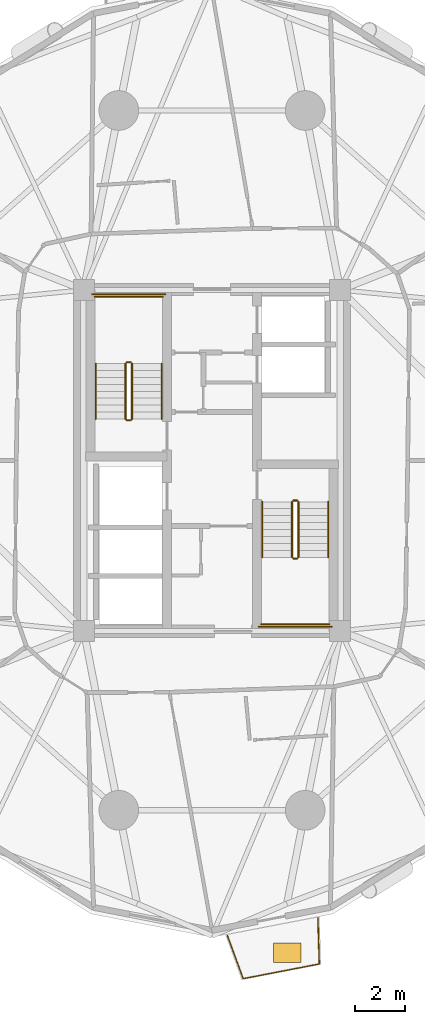
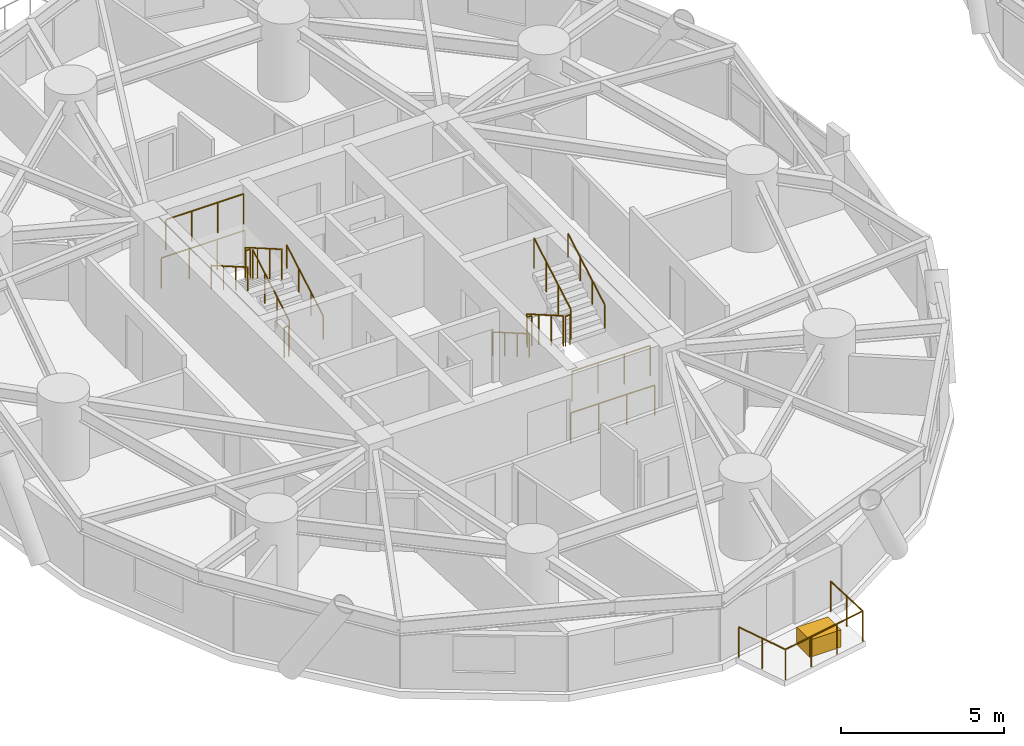
# One storey, part 17 of 19: 17 railings, 1 covering.
"""IFC4 building model written with IfcOpenShell, lengths in metres."""

from ifc_helpers import new_model, si_unit, direction, frame, origin, origin_2d, place, context, subcontext, project, spatial, rectangle, circle, extrude, source, transform, mapped, material, layer, layer_set, type_object, element, save


model = new_model("IFC4")

# Units and contexts
model_context = context("Model", 3, precision=1e-05, world=origin(), true_north=direction((0.0, 1.0)))
body_context = subcontext(model_context, "Body", "Model", "MODEL_VIEW")
ifc_project = project(units=[si_unit("LENGTHUNIT", "METRE"), si_unit("AREAUNIT", "SQUARE_METRE"), si_unit("VOLUMEUNIT", "CUBIC_METRE"), si_unit("PLANEANGLEUNIT", "RADIAN"), si_unit("MASSUNIT", "GRAM", prefix="KILO")], contexts=[model_context])

# Site, building, storey
site_placement = place(None, origin())
site = spatial("IfcSite", under=ifc_project, at=site_placement, CompositionType="ELEMENT")
building_placement = place(site_placement, origin())
building = spatial("IfcBuilding", under=site, at=building_placement, Name="Cununo Teusaquillo Station Towers", CompositionType="ELEMENT")
storey_placement = place(building_placement, frame((0.0, 0.0, 33.639892578125)))
storey = spatial("IfcBuildingStorey", under=building, at=storey_placement, Name="L09", CompositionType="ELEMENT", Elevation=33.639892578125)

# Railings
ifc_material_1 = material(Name="Anodised dark bronze aluminium EN AW-6063-T6", Category="aluminium")
railing_type_1 = type_object("IfcRailingType", Name="RL-EXT-GUARD", PredefinedType="GUARDRAIL", material=ifc_material_1)
railing_1_placement = place(storey_placement, frame((20.773193359375, 6.034423828125, 0.0)))
element("IfcRailing", 1, at=railing_1_placement, inside=storey, type_object=railing_type_1, Name="L09 Tower A Balcony Guardrail C15", PredefinedType="GUARDRAIL", context=body_context, shape_type="SweptSolid", body=[
    extrude(circle(Radius=0.02392578125, at=origin_2d()), frame((0.0, 0.0, 1.1259765625), z_axis=(0.030666047799, -0.999529686159, 0.0), x_axis=(0.999529686159, 0.030666047799, 0.0)), (0.0, 0.0, 1.0), 1.863037109375),
    extrude(circle(Radius=0.02392578125, at=origin_2d()), frame((0.05712890625, -1.862060546875, 1.1259765625), z_axis=(-0.981838510886, -0.189718577217, 0.0), x_axis=(0.189718577217, -0.981838510886, 0.0)), (0.0, 0.0, 1.0), 3.12841796875),
    extrude(circle(Radius=0.02392578125, at=origin_2d()), frame((-3.014404296875, -2.45556640625, 1.1259765625), z_axis=(-0.343888798081, 0.93901038043, 0.0), x_axis=(-0.93901038043, -0.343888798081, 0.0)), (0.0, 0.0, 1.0), 1.86279296875),
    extrude(circle(Radius=0.02099609375, at=origin_2d()), origin(), (0.0, 0.0, 1.0), 1.101806640625),
    extrude(circle(Radius=0.02099609375, at=origin_2d()), frame((0.028564453125, -0.93115234375, 0.0)), (0.0, 0.0, 1.0), 1.101806640625),
    extrude(circle(Radius=0.02099609375, at=origin_2d()), frame((0.05712890625, -1.862060546875, 0.0)), (0.0, 0.0, 1.0), 1.101806640625),
    extrude(circle(Radius=0.02099609375, at=origin_2d()), frame((-0.966796875, -2.059814453125, 0.0)), (0.0, 0.0, 1.0), 1.101806640625),
    extrude(circle(Radius=0.02099609375, at=origin_2d()), frame((-1.990478515625, -2.2578125, 0.0)), (0.0, 0.0, 1.0), 1.101806640625),
    extrude(circle(Radius=0.02099609375, at=origin_2d()), frame((-3.014404296875, -2.45556640625, 0.0)), (0.0, 0.0, 1.0), 1.101806640625),
    extrude(circle(Radius=0.02099609375, at=origin_2d()), frame((-3.334716796875, -1.5810546875, 0.0)), (0.0, 0.0, 1.0), 1.101806640625),
    extrude(circle(Radius=0.02099609375, at=origin_2d()), frame((-3.655029296875, -0.706298828125, 0.0)), (0.0, 0.0, 1.0), 1.101806640625),
])
ifc_material_2 = material(Name="Steel EN 10025-2 S355J2", Category="steel")
railing_type_2 = type_object("IfcRailingType", Name="RL-INT-GUARD", PredefinedType="GUARDRAIL", material=ifc_material_2)
railing_2_placement = place(storey_placement, frame((13.27001953125, 26.169921875, 0.161865234375)))
element("IfcRailing", 2, at=railing_2_placement, inside=storey, type_object=railing_type_2, Name="L09 ST-T1-1 stair guard 1", PredefinedType="GUARDRAIL", context=body_context, shape_type="SweptSolid", body=[
    extrude(circle(Radius=0.02392578125, at=origin_2d()), frame((0.0, 0.0, 1.1259765625), z_axis=(0.0, 0.866033117094, 0.499986639918), x_axis=(-1.0, 0.0, 0.0)), (0.0, 0.0, 1.0), 2.58642578125),
    extrude(circle(Radius=0.02099609375, at=origin_2d()), origin(), (0.0, 0.0, 1.0), 1.101806640625),
    extrude(circle(Radius=0.02099609375, at=origin_2d()), frame((0.0, 0.74658203125, 0.43115234375)), (0.0, 0.0, 1.0), 1.101806640625),
    extrude(circle(Radius=0.02099609375, at=origin_2d()), frame((0.0, 1.493408203125, 0.862060546875)), (0.0, 0.0, 1.0), 1.101806640625),
    extrude(circle(Radius=0.02099609375, at=origin_2d()), frame((0.0, 2.239990234375, 1.293212890625)), (0.0, 0.0, 1.0), 1.101806640625),
])
railing_3_placement = place(storey_placement, frame((13.219970703125, 28.4599609375, 1.455078125)))
element("IfcRailing", 3, at=railing_3_placement, inside=storey, type_object=railing_type_2, Name="L09 ST-T1-1 stair guard 2", PredefinedType="GUARDRAIL", context=body_context, shape_type="SweptSolid", body=[
    extrude(circle(Radius=0.02392578125, at=origin_2d()), frame((0.0, 0.0, 1.1259765625), z_axis=(-1.0, 0.0, 0.0), x_axis=(0.0, -1.0, 0.0)), (0.0, 0.0, 1.0), 0.159912109375),
    extrude(circle(Radius=0.02099609375, at=origin_2d()), origin(), (0.0, 0.0, 1.0), 1.101806640625),
    extrude(circle(Radius=0.02099609375, at=origin_2d()), frame((-0.159912109375, 0.0, 0.0)), (0.0, 0.0, 1.0), 1.101806640625),
])
railing_4_placement = place(storey_placement, frame((14.52001953125, 31.110107421875, 1.455078125)))
element("IfcRailing", 4, at=railing_4_placement, inside=storey, type_object=railing_type_2, Name="L09 ST-T1-1 stair guard 3", PredefinedType="GUARDRAIL", context=body_context, shape_type="SweptSolid", body=[
    extrude(circle(Radius=0.02392578125, at=origin_2d()), frame((0.0, 0.0, 1.1259765625), z_axis=(-1.0, 0.0, 0.0), x_axis=(0.0, -1.0, 0.0)), (0.0, 0.0, 1.0), 2.760009765625),
    extrude(circle(Radius=0.02099609375, at=origin_2d()), origin(), (0.0, 0.0, 1.0), 1.101806640625),
    extrude(circle(Radius=0.02099609375, at=origin_2d()), frame((-0.919921875, 0.0, 0.0)), (0.0, 0.0, 1.0), 1.101806640625),
    extrude(circle(Radius=0.02099609375, at=origin_2d()), frame((-1.840087890625, 0.0, 0.0)), (0.0, 0.0, 1.0), 1.101806640625),
    extrude(circle(Radius=0.02099609375, at=origin_2d()), frame((-2.760009765625, 0.0, 0.0)), (0.0, 0.0, 1.0), 1.101806640625),
])
railing_5_placement = place(storey_placement, frame((13.010009765625, 28.409912109375, 1.61669921875)))
element("IfcRailing", 5, at=railing_5_placement, inside=storey, type_object=railing_type_2, Name="L09 ST-T1-1 stair guard 4", PredefinedType="GUARDRAIL", context=body_context, shape_type="SweptSolid", body=[
    extrude(circle(Radius=0.02392578125, at=origin_2d()), frame((0.0, 0.0, 1.1259765625), z_axis=(0.0, -0.865992244559, 0.500057429065), x_axis=(1.0, 0.0, 0.0)), (0.0, 0.0, 1.0), 2.586669921875),
    extrude(circle(Radius=0.02099609375, at=origin_2d()), origin(), (0.0, 0.0, 1.0), 1.101806640625),
    extrude(circle(Radius=0.02099609375, at=origin_2d()), frame((0.0, -0.74658203125, 0.43115234375)), (0.0, 0.0, 1.0), 1.101806640625),
    extrude(circle(Radius=0.02099609375, at=origin_2d()), frame((0.0, -1.493408203125, 0.8623046875)), (0.0, 0.0, 1.0), 1.101806640625),
    extrude(circle(Radius=0.02099609375, at=origin_2d()), frame((0.0, -2.239990234375, 1.29345703125)), (0.0, 0.0, 1.0), 1.101806640625),
])
railing_6_placement = place(storey_placement, frame((13.219970703125, 26.1201171875, 0.0)))
element("IfcRailing", 6, at=railing_6_placement, inside=storey, type_object=railing_type_2, Name="L09 ST-T1-1 stair guard 5", PredefinedType="GUARDRAIL", context=body_context, shape_type="SweptSolid", body=[
    extrude(circle(Radius=0.02392578125, at=origin_2d()), frame((0.0, 0.0, 1.1259765625), z_axis=(-1.0, 0.0, 0.0), x_axis=(0.0, -1.0, 0.0)), (0.0, 0.0, 1.0), 0.159912109375),
    extrude(circle(Radius=0.02099609375, at=origin_2d()), origin(), (0.0, 0.0, 1.0), 1.101806640625),
    extrude(circle(Radius=0.02099609375, at=origin_2d()), frame((-0.159912109375, 0.0, 0.0)), (0.0, 0.0, 1.0), 1.101806640625),
])
railing_7_placement = place(storey_placement, frame((14.6201171875, 31.2099609375, 0.0)))
element("IfcRailing", 7, at=railing_7_placement, inside=storey, type_object=railing_type_2, Name="L09 ST-T1-1 stair guard 6", PredefinedType="GUARDRAIL", context=body_context, shape_type="SweptSolid", body=[
    extrude(circle(Radius=0.02392578125, at=origin_2d()), frame((0.0, 0.0, 1.1259765625), z_axis=(-1.0, 0.0, 0.0), x_axis=(0.0, -1.0, 0.0)), (0.0, 0.0, 1.0), 2.960205078125),
    extrude(circle(Radius=0.02099609375, at=origin_2d()), origin(), (0.0, 0.0, 1.0), 1.101806640625),
    extrude(circle(Radius=0.02099609375, at=origin_2d()), frame((-0.98681640625, 0.0, 0.0)), (0.0, 0.0, 1.0), 1.101806640625),
    extrude(circle(Radius=0.02099609375, at=origin_2d()), frame((-1.973388671875, 0.0, 0.0)), (0.0, 0.0, 1.0), 1.101806640625),
    extrude(circle(Radius=0.02099609375, at=origin_2d()), frame((-2.960205078125, 0.0, 0.0)), (0.0, 0.0, 1.0), 1.101806640625),
])
railing_8_placement = place(storey_placement, frame((19.72998046875, 22.830078125, 0.161865234375)))
element("IfcRailing", 8, at=railing_8_placement, inside=storey, type_object=railing_type_2, Name="L09 ST-T1-2 stair guard 1", PredefinedType="GUARDRAIL", context=body_context, shape_type="SweptSolid", body=[
    extrude(circle(Radius=0.02392578125, at=origin_2d()), frame((0.0, 0.0, 1.1259765625), z_axis=(0.0, -0.866033117094, 0.499986639918), x_axis=(1.0, 0.0, 0.0)), (0.0, 0.0, 1.0), 2.58642578125),
    extrude(circle(Radius=0.02099609375, at=origin_2d()), origin(), (0.0, 0.0, 1.0), 1.101806640625),
    extrude(circle(Radius=0.02099609375, at=origin_2d()), frame((0.0, -0.74658203125, 0.43115234375)), (0.0, 0.0, 1.0), 1.101806640625),
    extrude(circle(Radius=0.02099609375, at=origin_2d()), frame((0.0, -1.493408203125, 0.862060546875)), (0.0, 0.0, 1.0), 1.101806640625),
    extrude(circle(Radius=0.02099609375, at=origin_2d()), frame((0.0, -2.239990234375, 1.293212890625)), (0.0, 0.0, 1.0), 1.101806640625),
])
railing_9_placement = place(storey_placement, frame((19.780029296875, 20.5400390625, 1.455078125)))
element("IfcRailing", 9, at=railing_9_placement, inside=storey, type_object=railing_type_2, Name="L09 ST-T1-2 stair guard 2", PredefinedType="GUARDRAIL", context=body_context, shape_type="SweptSolid", body=[
    extrude(circle(Radius=0.02392578125, at=origin_2d()), frame((0.0, 0.0, 1.1259765625), z_axis=(1.0, 0.0, 0.0), x_axis=(0.0, 1.0, 0.0)), (0.0, 0.0, 1.0), 0.159912109375),
    extrude(circle(Radius=0.02099609375, at=origin_2d()), origin(), (0.0, 0.0, 1.0), 1.101806640625),
    extrude(circle(Radius=0.02099609375, at=origin_2d()), frame((0.159912109375, 0.0, 0.0)), (0.0, 0.0, 1.0), 1.101806640625),
])
railing_10_placement = place(storey_placement, frame((18.47998046875, 17.889892578125, 1.455078125)))
element("IfcRailing", 10, at=railing_10_placement, inside=storey, type_object=railing_type_2, Name="L09 ST-T1-2 stair guard 3", PredefinedType="GUARDRAIL", context=body_context, shape_type="SweptSolid", body=[
    extrude(circle(Radius=0.02392578125, at=origin_2d()), frame((0.0, 0.0, 1.1259765625), z_axis=(1.0, 0.0, 0.0), x_axis=(0.0, 1.0, 0.0)), (0.0, 0.0, 1.0), 2.760009765625),
    extrude(circle(Radius=0.02099609375, at=origin_2d()), origin(), (0.0, 0.0, 1.0), 1.101806640625),
    extrude(circle(Radius=0.02099609375, at=origin_2d()), frame((0.919921875, 0.0, 0.0)), (0.0, 0.0, 1.0), 1.101806640625),
    extrude(circle(Radius=0.02099609375, at=origin_2d()), frame((1.840087890625, 0.0, 0.0)), (0.0, 0.0, 1.0), 1.101806640625),
    extrude(circle(Radius=0.02099609375, at=origin_2d()), frame((2.760009765625, 0.0, 0.0)), (0.0, 0.0, 1.0), 1.101806640625),
])
railing_11_placement = place(storey_placement, frame((19.989990234375, 20.590087890625, 1.61669921875)))
element("IfcRailing", 11, at=railing_11_placement, inside=storey, type_object=railing_type_2, Name="L09 ST-T1-2 stair guard 4", PredefinedType="GUARDRAIL", context=body_context, shape_type="SweptSolid", body=[
    extrude(circle(Radius=0.02392578125, at=origin_2d()), frame((0.0, 0.0, 1.1259765625), z_axis=(0.0, 0.865992244559, 0.500057429065), x_axis=(-1.0, 0.0, 0.0)), (0.0, 0.0, 1.0), 2.586669921875),
    extrude(circle(Radius=0.02099609375, at=origin_2d()), origin(), (0.0, 0.0, 1.0), 1.101806640625),
    extrude(circle(Radius=0.02099609375, at=origin_2d()), frame((0.0, 0.74658203125, 0.43115234375)), (0.0, 0.0, 1.0), 1.101806640625),
    extrude(circle(Radius=0.02099609375, at=origin_2d()), frame((0.0, 1.493408203125, 0.8623046875)), (0.0, 0.0, 1.0), 1.101806640625),
    extrude(circle(Radius=0.02099609375, at=origin_2d()), frame((0.0, 2.239990234375, 1.29345703125)), (0.0, 0.0, 1.0), 1.101806640625),
])
railing_12_placement = place(storey_placement, frame((19.780029296875, 22.8798828125, 0.0)))
element("IfcRailing", 12, at=railing_12_placement, inside=storey, type_object=railing_type_2, Name="L09 ST-T1-2 stair guard 5", PredefinedType="GUARDRAIL", context=body_context, shape_type="SweptSolid", body=[
    extrude(circle(Radius=0.02392578125, at=origin_2d()), frame((0.0, 0.0, 1.1259765625), z_axis=(1.0, 0.0, 0.0), x_axis=(0.0, 1.0, 0.0)), (0.0, 0.0, 1.0), 0.159912109375),
    extrude(circle(Radius=0.02099609375, at=origin_2d()), origin(), (0.0, 0.0, 1.0), 1.101806640625),
    extrude(circle(Radius=0.02099609375, at=origin_2d()), frame((0.159912109375, 0.0, 0.0)), (0.0, 0.0, 1.0), 1.101806640625),
])
railing_13_placement = place(storey_placement, frame((18.3798828125, 17.7900390625, 0.0)))
element("IfcRailing", 13, at=railing_13_placement, inside=storey, type_object=railing_type_2, Name="L09 ST-T1-2 stair guard 6", PredefinedType="GUARDRAIL", context=body_context, shape_type="SweptSolid", body=[
    extrude(circle(Radius=0.02392578125, at=origin_2d()), frame((0.0, 0.0, 1.1259765625), z_axis=(1.0, 0.0, 0.0), x_axis=(0.0, 1.0, 0.0)), (0.0, 0.0, 1.0), 2.960205078125),
    extrude(circle(Radius=0.02099609375, at=origin_2d()), origin(), (0.0, 0.0, 1.0), 1.101806640625),
    extrude(circle(Radius=0.02099609375, at=origin_2d()), frame((0.98681640625, 0.0, 0.0)), (0.0, 0.0, 1.0), 1.101806640625),
    extrude(circle(Radius=0.02099609375, at=origin_2d()), frame((1.973388671875, 0.0, 0.0)), (0.0, 0.0, 1.0), 1.101806640625),
    extrude(circle(Radius=0.02099609375, at=origin_2d()), frame((2.960205078125, 0.0, 0.0)), (0.0, 0.0, 1.0), 1.101806640625),
])
ifc_material_3 = material(Name="Steel EN 10025-2 S355J2", Category="steel")
railing_type_3 = type_object("IfcRailingType", Name="RL-INT-HRAIL", PredefinedType="HANDRAIL", material=ifc_material_3)
railing_14_placement = place(storey_placement, frame((14.469970703125, 26.169921875, 0.161865234375)))
element("IfcRailing", 14, at=railing_14_placement, inside=storey, type_object=railing_type_3, Name="L09 ST-T1-1 stair handrail 1", PredefinedType="HANDRAIL", context=body_context, shape_type="SweptSolid", body=[
    extrude(circle(Radius=0.02392578125, at=origin_2d()), frame((0.0, 0.0, 0.8759765625), z_axis=(0.0, 0.866033117094, 0.499986639918), x_axis=(-1.0, 0.0, 0.0)), (0.0, 0.0, 1.0), 2.58642578125),
    extrude(circle(Radius=0.02099609375, at=origin_2d()), origin(), (0.0, 0.0, 1.0), 0.851806640625),
    extrude(circle(Radius=0.02099609375, at=origin_2d()), frame((0.0, 0.74658203125, 0.43115234375)), (0.0, 0.0, 1.0), 0.851806640625),
    extrude(circle(Radius=0.02099609375, at=origin_2d()), frame((0.0, 1.493408203125, 0.862060546875)), (0.0, 0.0, 1.0), 0.851806640625),
    extrude(circle(Radius=0.02099609375, at=origin_2d()), frame((0.0, 2.239990234375, 1.293212890625)), (0.0, 0.0, 1.0), 0.851806640625),
])
railing_15_placement = place(storey_placement, frame((11.81005859375, 28.409912109375, 1.61669921875)))
element("IfcRailing", 15, at=railing_15_placement, inside=storey, type_object=railing_type_3, Name="L09 ST-T1-1 stair handrail 2", PredefinedType="HANDRAIL", context=body_context, shape_type="SweptSolid", body=[
    extrude(circle(Radius=0.02392578125, at=origin_2d()), frame((0.0, 0.0, 0.8759765625), z_axis=(0.0, -0.865992244559, 0.500057429065), x_axis=(1.0, 0.0, 0.0)), (0.0, 0.0, 1.0), 2.586669921875),
    extrude(circle(Radius=0.02099609375, at=origin_2d()), origin(), (0.0, 0.0, 1.0), 0.851806640625),
    extrude(circle(Radius=0.02099609375, at=origin_2d()), frame((0.0, -0.74658203125, 0.43115234375)), (0.0, 0.0, 1.0), 0.851806640625),
    extrude(circle(Radius=0.02099609375, at=origin_2d()), frame((0.0, -1.493408203125, 0.8623046875)), (0.0, 0.0, 1.0), 0.851806640625),
    extrude(circle(Radius=0.02099609375, at=origin_2d()), frame((0.0, -2.239990234375, 1.29345703125)), (0.0, 0.0, 1.0), 0.851806640625),
])
railing_16_placement = place(storey_placement, frame((18.530029296875, 22.830078125, 0.161865234375)))
element("IfcRailing", 16, at=railing_16_placement, inside=storey, type_object=railing_type_3, Name="L09 ST-T1-2 stair handrail 1", PredefinedType="HANDRAIL", context=body_context, shape_type="SweptSolid", body=[
    extrude(circle(Radius=0.02392578125, at=origin_2d()), frame((0.0, 0.0, 0.8759765625), z_axis=(0.0, -0.866033117094, 0.499986639918), x_axis=(1.0, 0.0, 0.0)), (0.0, 0.0, 1.0), 2.58642578125),
    extrude(circle(Radius=0.02099609375, at=origin_2d()), origin(), (0.0, 0.0, 1.0), 0.851806640625),
    extrude(circle(Radius=0.02099609375, at=origin_2d()), frame((0.0, -0.74658203125, 0.43115234375)), (0.0, 0.0, 1.0), 0.851806640625),
    extrude(circle(Radius=0.02099609375, at=origin_2d()), frame((0.0, -1.493408203125, 0.862060546875)), (0.0, 0.0, 1.0), 0.851806640625),
    extrude(circle(Radius=0.02099609375, at=origin_2d()), frame((0.0, -2.239990234375, 1.293212890625)), (0.0, 0.0, 1.0), 0.851806640625),
])
railing_17_placement = place(storey_placement, frame((21.18994140625, 20.590087890625, 1.61669921875)))
element("IfcRailing", 17, at=railing_17_placement, inside=storey, type_object=railing_type_3, Name="L09 ST-T1-2 stair handrail 2", PredefinedType="HANDRAIL", context=body_context, shape_type="SweptSolid", body=[
    extrude(circle(Radius=0.02392578125, at=origin_2d()), frame((0.0, 0.0, 0.8759765625), z_axis=(0.0, 0.865992244559, 0.500057429065), x_axis=(-1.0, 0.0, 0.0)), (0.0, 0.0, 1.0), 2.586669921875),
    extrude(circle(Radius=0.02099609375, at=origin_2d()), origin(), (0.0, 0.0, 1.0), 0.851806640625),
    extrude(circle(Radius=0.02099609375, at=origin_2d()), frame((0.0, 0.74658203125, 0.43115234375)), (0.0, 0.0, 1.0), 0.851806640625),
    extrude(circle(Radius=0.02099609375, at=origin_2d()), frame((0.0, 1.493408203125, 0.8623046875)), (0.0, 0.0, 1.0), 0.851806640625),
    extrude(circle(Radius=0.02099609375, at=origin_2d()), frame((0.0, 2.239990234375, 1.29345703125)), (0.0, 0.0, 1.0), 0.851806640625),
])

# Covering
ifc_material_4 = material(Name="Architectural GRC planter shell and engineered root-zone substrate", Category="concrete")
ifc_layer = layer(ifc_material_4, 0.64990234375)
ifc_layer_set = layer_set([ifc_layer], Name="Architectural GRC planter shell and engineered root-zone substrate")
covering_type = type_object("IfcCoveringType", Name="COV-TREE-PLANTER", PredefinedType="CLADDING", material=ifc_layer_set)
shared_shape = source(origin(), body_context, "Body", "SweptSolid", [
    extrude(rectangle(XDim=1.10009765625, YDim=0.800048828125, at=origin_2d()), origin(), (0.0, 0.0, 1.0), 0.64990234375),
])
covering_placement = place(storey_placement, frame((19.541015625, 4.629150390625, 0.000244140625), z_axis=(0.0, 0.0, 1.0), x_axis=(1.0, 0.0, 0.0)))
element("IfcCovering", 18, at=covering_placement, inside=storey, type_object=covering_type, Name="L09 Tower A Balcony Tree PLANTER C15", PredefinedType="CLADDING", context=body_context, shape_type="MappedRepresentation", body=[
    mapped(shared_shape, transform((0.0, 0.0, 0.0), x_axis=(1.0, 0.0, 0.0), y_axis=(0.0, 1.0, 0.0), z_axis=(0.0, 0.0, 1.0), scale=1.0)),
])

save(model, "model.ifc")
